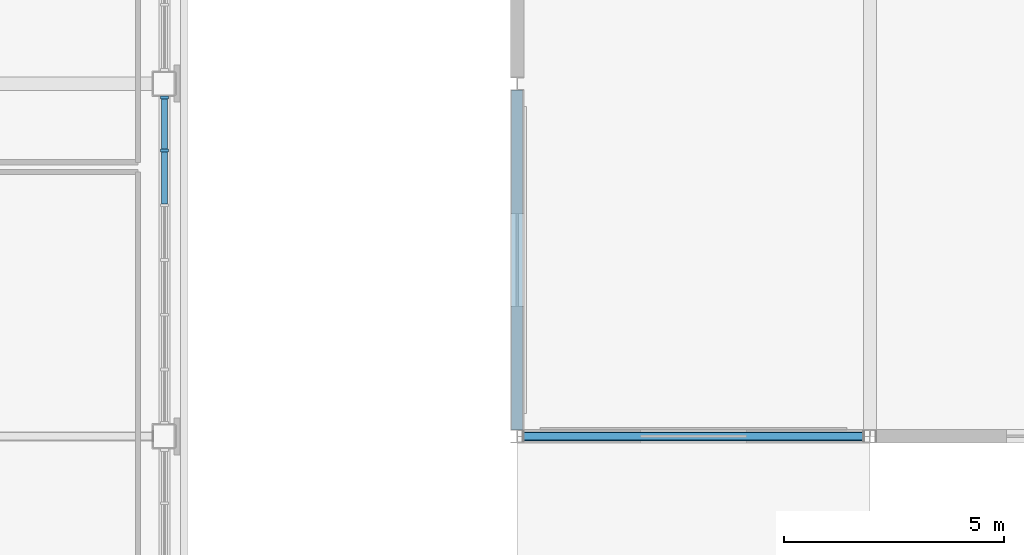
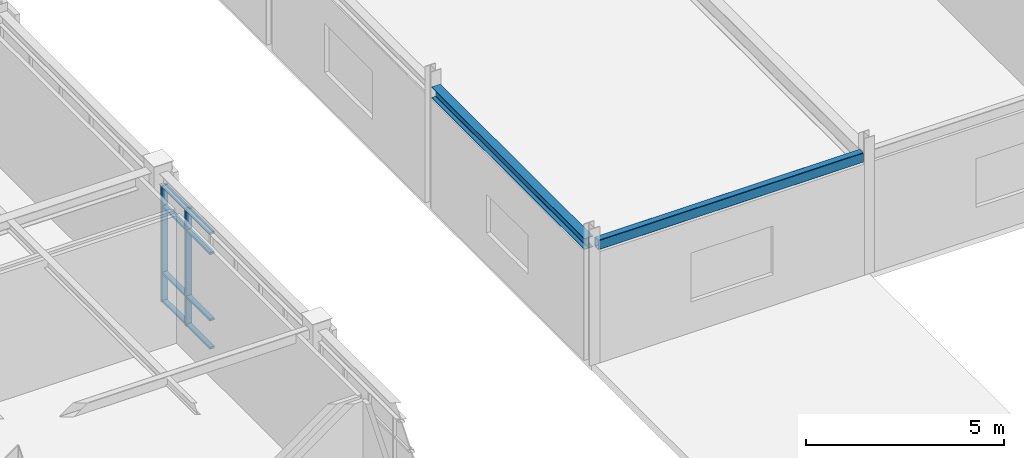
# One storey, part 24 of 88: 10 members, 2 beams, 1 element without a shape of its own.
"""IFC4 building model written with IfcOpenShell, lengths in metres."""

import ifcopenshell
import ifcopenshell.guid

model = None  # the IFC model being written
_history = None  # IfcOwnerHistory: only IFC2X3 demands one
_inside = {}  # id of a spatial element -> (the spatial element, [elements in it])
_under = {}  # id of a project, library or spatial element -> (it, [spatial elements below it])
_declared = {}  # id of a project -> (the project, [libraries it declares])
_typed = {}  # id of a type object -> (the type object, [elements of that type])
_made_of = {}  # id of a material, layer set ... -> (it, [elements and type objects made of it])


def new_model(schema):
    """Start an empty IFC model of exactly this schema.

    Asked for "IFC4X3", IfcOpenShell would pick the latest addendum, in which some entities
    have other attributes; the version numbers below select the first issue.
    IFC2X3 requires an IfcOwnerHistory on every rooted entity: one is made here for all.
    """
    global model, _history
    if schema == "IFC4X3":
        model = ifcopenshell.file(schema_version=(4, 3, 0, 0))
    else:
        model = ifcopenshell.file(schema=schema)
    _inside.clear()
    _under.clear()
    _declared.clear()
    _typed.clear()
    _made_of.clear()
    _history = None
    if model.schema == "IFC2X3":
        org = make("IfcOrganization", Name="unknown")
        user = make(
            "IfcPersonAndOrganization",
            ThePerson=make("IfcPerson", FamilyName="unknown"),
            TheOrganization=org,
        )
        app = make(
            "IfcApplication",
            ApplicationDeveloper=org,
            Version="unknown",
            ApplicationFullName="unknown",
            ApplicationIdentifier="unknown",
        )
        _history = make(
            "IfcOwnerHistory",
            OwningUser=user,
            OwningApplication=app,
            ChangeAction="ADDED",
            CreationDate=0,
        )
    return model


def make(cls, **values):
    """One entity of the class cls with the attributes given. An attribute that is None is left unset."""
    return model.create_entity(
        cls, **{name: value for name, value in values.items() if value is not None}
    )


def rooted(cls, **values):
    """An entity with a GlobalId (a new one), such as an element, a storey or a relation."""
    return make(cls, GlobalId=ifcopenshell.guid.new(), OwnerHistory=_history, **values)


def si_unit(unit_type, name, prefix=None):
    """IfcSIUnit, for example si_unit("LENGTHUNIT", "METRE", prefix="MILLI")."""
    return make("IfcSIUnit", UnitType=unit_type, Prefix=prefix, Name=name)


def assignment(units):
    """IfcUnitAssignment: the units of a project."""
    return None if units is None else make("IfcUnitAssignment", Units=units)


def point(xyz):
    """IfcCartesianPoint."""
    return None if xyz is None else make("IfcCartesianPoint", Coordinates=xyz)


def direction(xyz):
    """IfcDirection."""
    return None if xyz is None else make("IfcDirection", DirectionRatios=xyz)


def frame(location, z_axis=None, x_axis=None):
    """IfcAxis2Placement3D, a coordinate frame: its origin and axes. An axis left out is left unset."""
    return make(
        "IfcAxis2Placement3D",
        Location=point(location),
        Axis=direction(z_axis),
        RefDirection=direction(x_axis),
    )


def frame_2d(location, x_axis=None):
    """IfcAxis2Placement2D, a coordinate frame in the plane: its origin and x axis."""
    return make(
        "IfcAxis2Placement2D", Location=point(location), RefDirection=direction(x_axis)
    )


def origin():
    """The frame at (0, 0, 0) with its axes left unset."""
    return frame((0.0, 0.0, 0.0))


def origin_2d():
    """The frame at (0, 0) in the plane with its x axis left unset."""
    return frame_2d((0.0, 0.0))


def place(relative_to, where):
    """IfcLocalPlacement: puts the frame where relative to a parent placement (None: the world)."""
    return make(
        "IfcLocalPlacement", PlacementRelTo=relative_to, RelativePlacement=where
    )


def context(
    kind, dimensions, precision=None, world=None, true_north=None, identifier=None
):
    """IfcGeometricRepresentationContext, for example the 3D "Model" context."""
    return make(
        "IfcGeometricRepresentationContext",
        ContextIdentifier=identifier,
        ContextType=kind,
        CoordinateSpaceDimension=dimensions,
        Precision=precision,
        WorldCoordinateSystem=world,
        TrueNorth=true_north,
    )


def subcontext(parent, identifier, kind, view, scale=None):
    """IfcGeometricRepresentationSubContext, for example "Body" below "Model"."""
    return make(
        "IfcGeometricRepresentationSubContext",
        ContextIdentifier=identifier,
        ContextType=kind,
        ParentContext=parent,
        TargetScale=scale,
        TargetView=view,
    )


def project(units=None, contexts=None):
    """IfcProject with its units and contexts."""
    return rooted(
        "IfcProject",
        Name="project",
        RepresentationContexts=contexts,
        UnitsInContext=assignment(units),
    )


def spatial(cls, under=None, at=None, **own):
    """A site, building, storey or space (cls), placed at a placement, below another one or the project."""
    s = rooted(cls, ObjectPlacement=at, **own)
    if under is not None:
        _under.setdefault(under.id(), (under, []))[1].append(s)
    return s


def profile(cls, at=None, kind="AREA", **sizes):
    """A parametric profile (cls). Its sizes go by their IFC names, for example OverallWidth=200.0."""
    return make(cls, ProfileType=kind, Position=at, **sizes)


def rectangle(**sizes):
    """IfcRectangleProfileDef."""
    return profile("IfcRectangleProfileDef", **sizes)


def hollow_rectangle(**sizes):
    """IfcRectangleHollowProfileDef."""
    return profile("IfcRectangleHollowProfileDef", **sizes)


def i_section(**sizes):
    """IfcIShapeProfileDef."""
    return profile("IfcIShapeProfileDef", **sizes)


def extrude(swept, where, along, depth):
    """IfcExtrudedAreaSolid: the profile swept, set in the frame where, extruded along a direction by depth."""
    return make(
        "IfcExtrudedAreaSolid",
        SweptArea=swept,
        Position=where,
        ExtrudedDirection=direction(along),
        Depth=depth,
    )


def shape(context_of_items, identifier, shape_type, items):
    """IfcShapeRepresentation: the items that make up one representation, for example the "Body"."""
    return make(
        "IfcShapeRepresentation",
        ContextOfItems=context_of_items,
        RepresentationIdentifier=identifier,
        RepresentationType=shape_type,
        Items=items,
    )


def material(Name=None, Category=None):
    """IfcMaterial."""
    return make("IfcMaterial", Name=Name, Category=Category)


def material_profile(
    of_material, cross_section, Name=None, Category=None, Priority=None
):
    """IfcMaterialProfile: a cross section and its material."""
    return make(
        "IfcMaterialProfile",
        Name=Name,
        Material=of_material,
        Profile=cross_section,
        Priority=Priority,
        Category=Category,
    )


def profile_set(profiles, Name=None, composite=None):
    """IfcMaterialProfileSet."""
    return make(
        "IfcMaterialProfileSet",
        Name=Name,
        MaterialProfiles=profiles,
        CompositeProfile=composite,
    )


def made_of(thing, what):
    """Note that an element or type object is made of a material, layer set ...; save() writes the relation."""
    if what is not None:
        _made_of.setdefault(what.id(), (what, []))[1].append(thing)
    return thing


def type_object(cls, material=None, **own):
    """A type object (cls), such as IfcWallType, which elements share."""
    return made_of(rooted(cls, **own), material)


def element(
    cls,
    number,
    at=None,
    inside=None,
    cuts=None,
    type_object=None,
    material=None,
    context=None,
    identifier="Body",
    shape_type=None,
    held_by="IfcProductDefinitionShape",
    body=None,
    shapes=None,
    **own,
):
    """One element of the class cls, such as IfcWall. Its Tag is "e" and its number.

    at: its placement. inside: the storey or other place that contains it. cuts: it is an
    opening in that element (IfcRelVoidsElement). A single representation is given by context,
    identifier, shape_type and body (its items); several are given by shapes. held_by: the class
    of the entity that holds the representations. save() writes the other relations.
    """
    e = rooted(cls, Tag="e%d" % number, ObjectPlacement=at, **own)
    if body is not None:
        shapes = [shape(context, identifier, shape_type, body)]
    if shapes is not None:
        e.Representation = make(held_by, Representations=shapes)
    if inside is not None:
        _inside.setdefault(inside.id(), (inside, []))[1].append(e)
    if cuts is not None:
        rooted(
            "IfcRelVoidsElement", RelatingBuildingElement=cuts, RelatedOpeningElement=e
        )
    if type_object is not None:
        _typed.setdefault(type_object.id(), (type_object, []))[1].append(e)
    return made_of(e, material)


def aggregate(whole, parts):
    """IfcRelAggregates: a whole, such as a stair, and the parts it consists of."""
    return rooted("IfcRelAggregates", RelatingObject=whole, RelatedObjects=parts)


def save(model, path):
    """Write the relations noted so far, then the file.

    IfcRelAggregates (storeys below a building ...), IfcRelContainedInSpatialStructure (elements
    in a storey), IfcRelDefinesByType, IfcRelAssociatesMaterial and IfcRelDeclares: one each for
    every whole, place, type object, material and project.
    """
    for whole, parts in _under.values():
        aggregate(whole, parts)
    for where, things in _inside.values():
        rooted(
            "IfcRelContainedInSpatialStructure",
            RelatedElements=things,
            RelatingStructure=where,
        )
    for kind, things in _typed.values():
        rooted("IfcRelDefinesByType", RelatedObjects=things, RelatingType=kind)
    for what, things in _made_of.values():
        rooted("IfcRelAssociatesMaterial", RelatedObjects=things, RelatingMaterial=what)
    for by, libraries in _declared.values():
        rooted("IfcRelDeclares", RelatingContext=by, RelatedDefinitions=libraries)
    model.write(path)


model = new_model("IFC4")

# Units and contexts
model_context = context("Model", 3, precision=1e-05, world=origin(), true_north=direction((0.0, 1.0)))
body_context = subcontext(model_context, "Body", "Model", "MODEL_VIEW")
ifc_project = project(units=[si_unit("LENGTHUNIT", "METRE"), si_unit("AREAUNIT", "SQUARE_METRE"), si_unit("VOLUMEUNIT", "CUBIC_METRE"), si_unit("PLANEANGLEUNIT", "RADIAN"), si_unit("MASSUNIT", "GRAM", prefix="KILO")], contexts=[model_context])

# Site, building, storey
site_placement = place(None, origin())
site = spatial("IfcSite", under=ifc_project, at=site_placement, CompositionType="ELEMENT")
building_placement = place(site_placement, origin())
building = spatial("IfcBuilding", under=site, at=building_placement, Name="Zhaolan Boulevard Law Courts", CompositionType="ELEMENT")
storey_placement = place(building_placement, frame((0.0, 0.0, 16.199951171875)))
storey = spatial("IfcBuildingStorey", under=building, at=storey_placement, Name="L03", CompositionType="ELEMENT", Elevation=16.199951171875)

# Curtain wall, members
ifc_material_1 = material(Name="Thermally broken aluminium and low-E glazing", Category="aluminium")
curtain_wall_type = type_object("IfcCurtainWallType", Name="CURTAIN WALL M15", PredefinedType="USERDEFINED", material=ifc_material_1)
curtain_wall_placement = place(storey_placement, origin())
curtain_wall = element("IfcCurtainWall", 1, at=curtain_wall_placement, inside=storey, type_object=curtain_wall_type, Name="Curtain Wall CW-L03-183", ObjectType="CURTAIN WALL", PredefinedType="USERDEFINED")
ifc_material_2 = material(Name="Fluorocarbon-coated aluminium 6063-T6", Category="aluminium")
ifc_material_profile_1 = material_profile(ifc_material_2, rectangle(XDim=0.179931640625, YDim=0.06494140625, at=origin_2d()), Name="AL65x180")
ifc_profile_set_1 = profile_set([ifc_material_profile_1], Name="Fluorocarbon-coated aluminium 6063-T6")
member_type_1 = type_object("IfcMemberType", Name="CWMULLION 65X180", PredefinedType="MULLION", material=ifc_profile_set_1)
member_1_placement = place(storey_placement, frame((44.0, 68.48193359375, 0.0), z_axis=(0.0, 0.0, 1.0), x_axis=(-1.0, 0.0, 0.0)))
member_1 = element("IfcMember", 2, at=member_1_placement, type_object=member_type_1, Name="CW-L03-183 mullion 6", PredefinedType="MULLION", context=body_context, shape_type="SweptSolid", body=[
    extrude(rectangle(XDim=0.179931640625, YDim=0.06494140625, at=origin_2d()), origin(), (0.0, 0.0, 1.0), 3.593017578125),
])
member_2_placement = place(storey_placement, frame((44.0, 69.6904296875, 0.0), z_axis=(0.0, 0.0, 1.0), x_axis=(-1.0, 0.0, 0.0)))
member_2 = element("IfcMember", 3, at=member_2_placement, type_object=member_type_1, Name="CW-L03-183 mullion 7", PredefinedType="MULLION", context=body_context, shape_type="SweptSolid", body=[
    extrude(rectangle(XDim=0.179931640625, YDim=0.06494140625, at=origin_2d()), origin(), (0.0, 0.0, 1.0), 3.593017578125),
])
ifc_material_3 = material(Name="Fluorocarbon-coated aluminium 6063-T6", Category="aluminium")
ifc_material_profile_2 = material_profile(ifc_material_3, rectangle(XDim=0.139892578125, YDim=0.06494140625, at=origin_2d()), Name="AL65x140")
ifc_profile_set_2 = profile_set([ifc_material_profile_2], Name="Fluorocarbon-coated aluminium 6063-T6")
member_type_2 = type_object("IfcMemberType", Name="CWTRANSOM 65X140", PredefinedType="USERDEFINED", material=ifc_profile_set_2)
member_3_placement = place(storey_placement, frame((44.0, 67.2734375, 0.032470703125), z_axis=(0.0, 1.0, 0.0), x_axis=(-1.0, 0.0, 0.0)))
member_3 = element("IfcMember", 4, at=member_3_placement, type_object=member_type_2, Name="CW-L03-183 transom 5.1", ObjectType="TRANSOM", PredefinedType="USERDEFINED", context=body_context, shape_type="SweptSolid", body=[
    extrude(rectangle(XDim=0.139892578125, YDim=0.06494140625, at=origin_2d()), origin(), (0.0, 0.0, 1.0), 1.176025390625),
])
member_4_placement = place(storey_placement, frame((44.0, 67.2734375, 0.900146484375), z_axis=(0.0, 1.0, 0.0), x_axis=(-1.0, 0.0, 0.0)))
member_4 = element("IfcMember", 5, at=member_4_placement, type_object=member_type_2, Name="CW-L03-183 transom 5.2", ObjectType="TRANSOM", PredefinedType="USERDEFINED", context=body_context, shape_type="SweptSolid", body=[
    extrude(rectangle(XDim=0.139892578125, YDim=0.06494140625, at=origin_2d()), origin(), (0.0, 0.0, 1.0), 1.176025390625),
])
member_5_placement = place(storey_placement, frame((44.0, 67.2734375, 2.943115234375), z_axis=(0.0, 1.0, 0.0), x_axis=(-1.0, 0.0, 0.0)))
member_5 = element("IfcMember", 6, at=member_5_placement, type_object=member_type_2, Name="CW-L03-183 transom 5.3", ObjectType="TRANSOM", PredefinedType="USERDEFINED", context=body_context, shape_type="SweptSolid", body=[
    extrude(rectangle(XDim=0.139892578125, YDim=0.06494140625, at=origin_2d()), origin(), (0.0, 0.0, 1.0), 1.176025390625),
])
member_6_placement = place(storey_placement, frame((44.0, 67.2734375, 3.560546875), z_axis=(0.0, 1.0, 0.0), x_axis=(-1.0, 0.0, 0.0)))
member_6 = element("IfcMember", 7, at=member_6_placement, type_object=member_type_2, Name="CW-L03-183 transom 5.4", ObjectType="TRANSOM", PredefinedType="USERDEFINED", context=body_context, shape_type="SweptSolid", body=[
    extrude(rectangle(XDim=0.139892578125, YDim=0.06494140625, at=origin_2d()), origin(), (0.0, 0.0, 1.0), 1.176025390625),
])
member_7_placement = place(storey_placement, frame((44.0, 68.514404296875, 0.032470703125), z_axis=(0.0, 1.0, 0.0), x_axis=(-1.0, 0.0, 0.0)))
member_7 = element("IfcMember", 8, at=member_7_placement, type_object=member_type_2, Name="CW-L03-183 transom 6.1", ObjectType="TRANSOM", PredefinedType="USERDEFINED", context=body_context, shape_type="SweptSolid", body=[
    extrude(rectangle(XDim=0.139892578125, YDim=0.06494140625, at=origin_2d()), origin(), (0.0, 0.0, 1.0), 1.1435546875),
])
member_8_placement = place(storey_placement, frame((44.0, 68.514404296875, 0.900146484375), z_axis=(0.0, 1.0, 0.0), x_axis=(-1.0, 0.0, 0.0)))
member_8 = element("IfcMember", 9, at=member_8_placement, type_object=member_type_2, Name="CW-L03-183 transom 6.2", ObjectType="TRANSOM", PredefinedType="USERDEFINED", context=body_context, shape_type="SweptSolid", body=[
    extrude(rectangle(XDim=0.139892578125, YDim=0.06494140625, at=origin_2d()), origin(), (0.0, 0.0, 1.0), 1.1435546875),
])
member_9_placement = place(storey_placement, frame((44.0, 68.514404296875, 2.943115234375), z_axis=(0.0, 1.0, 0.0), x_axis=(-1.0, 0.0, 0.0)))
member_9 = element("IfcMember", 10, at=member_9_placement, type_object=member_type_2, Name="CW-L03-183 transom 6.3", ObjectType="TRANSOM", PredefinedType="USERDEFINED", context=body_context, shape_type="SweptSolid", body=[
    extrude(rectangle(XDim=0.139892578125, YDim=0.06494140625, at=origin_2d()), origin(), (0.0, 0.0, 1.0), 1.1435546875),
])
member_10_placement = place(storey_placement, frame((44.0, 68.514404296875, 3.560546875), z_axis=(0.0, 1.0, 0.0), x_axis=(-1.0, 0.0, 0.0)))
member_10 = element("IfcMember", 11, at=member_10_placement, type_object=member_type_2, Name="CW-L03-183 transom 6.4", ObjectType="TRANSOM", PredefinedType="USERDEFINED", context=body_context, shape_type="SweptSolid", body=[
    extrude(rectangle(XDim=0.139892578125, YDim=0.06494140625, at=origin_2d()), origin(), (0.0, 0.0, 1.0), 1.1435546875),
])
aggregate(curtain_wall, [member_1, member_2, member_3, member_4, member_5, member_6, member_7, member_8, member_9, member_10])

# Beams
ifc_material_4 = material(Name="Structural steel Q355B", Category="steel")
ifc_material_profile_3 = material_profile(ifc_material_4, i_section(OverallWidth=0.25, OverallDepth=0.340087890625, WebThickness=0.009033203125, FlangeThickness=0.013916015625, FilletRadius=0.01611328125, at=origin_2d()), Name="HM340x250")
ifc_profile_set_3 = profile_set([ifc_material_profile_3], Name="Structural steel Q355B")
beam_type_1 = type_object("IfcBeamType", Name="GIRDER HM340", PredefinedType="BEAM", material=ifc_profile_set_3)
beam_1_placement = place(storey_placement, frame((52.0, 62.14599609375, 3.568115234375), z_axis=(0.0, 1.0, 0.0), x_axis=(-1.0, 0.0, 0.0)))
element("IfcBeam", 12, at=beam_1_placement, inside=storey, type_object=beam_type_1, Name="Beam BY-L04-7-J-K", PredefinedType="BEAM", context=body_context, shape_type="SweptSolid", body=[
    extrude(i_section(OverallWidth=0.25, OverallDepth=0.340087890625, WebThickness=0.009033203125, FlangeThickness=0.013916015625, FilletRadius=0.01611328125, at=origin_2d()), origin(), (0.0, 0.0, 1.0), 7.7080078125),
])
ifc_material_5 = material(Name="Structural steel Q355B", Category="steel")
ifc_material_profile_4 = material_profile(ifc_material_5, hollow_rectangle(XDim=0.199951171875, YDim=0.300048828125, WallThickness=0.011962890625, InnerFilletRadius=0.011962890625, OuterFilletRadius=0.02392578125, at=origin_2d()), Name="HSS300x200x12")
ifc_profile_set_4 = profile_set([ifc_material_profile_4], Name="Structural steel Q355B")
beam_type_2 = type_object("IfcBeamType", Name="SPANDREL HSS300", PredefinedType="SPANDREL", material=ifc_profile_set_4)
beam_2_placement = place(storey_placement, frame((52.14599609375, 62.0, 3.588134765625), z_axis=(1.0, 0.0, 0.0), x_axis=(0.0, 1.0, 0.0)))
element("IfcBeam", 13, at=beam_2_placement, inside=storey, type_object=beam_type_2, Name="Beam BX-L04-7-8-J", PredefinedType="SPANDREL", context=body_context, shape_type="SweptSolid", body=[
    extrude(hollow_rectangle(XDim=0.199951171875, YDim=0.300048828125, WallThickness=0.011962890625, InnerFilletRadius=0.011962890625, OuterFilletRadius=0.02392578125, at=origin_2d()), origin(), (0.0, 0.0, 1.0), 7.7080078125),
])

save(model, "model.ifc")
